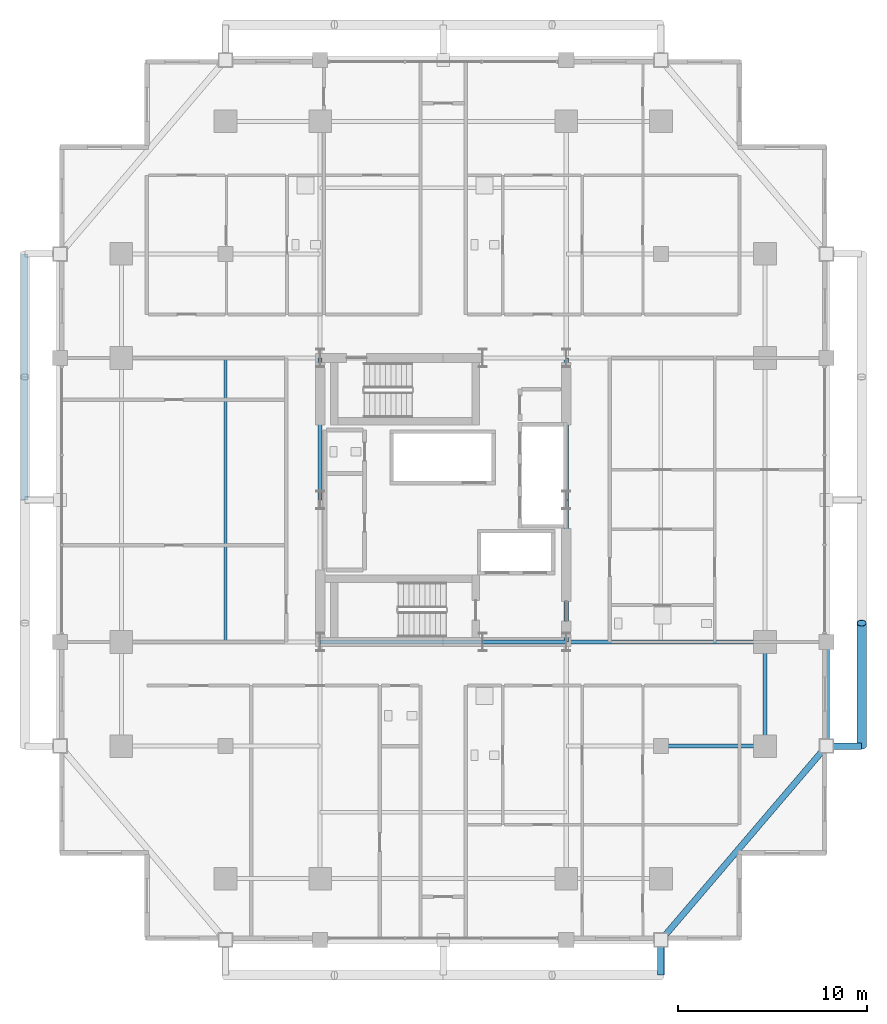
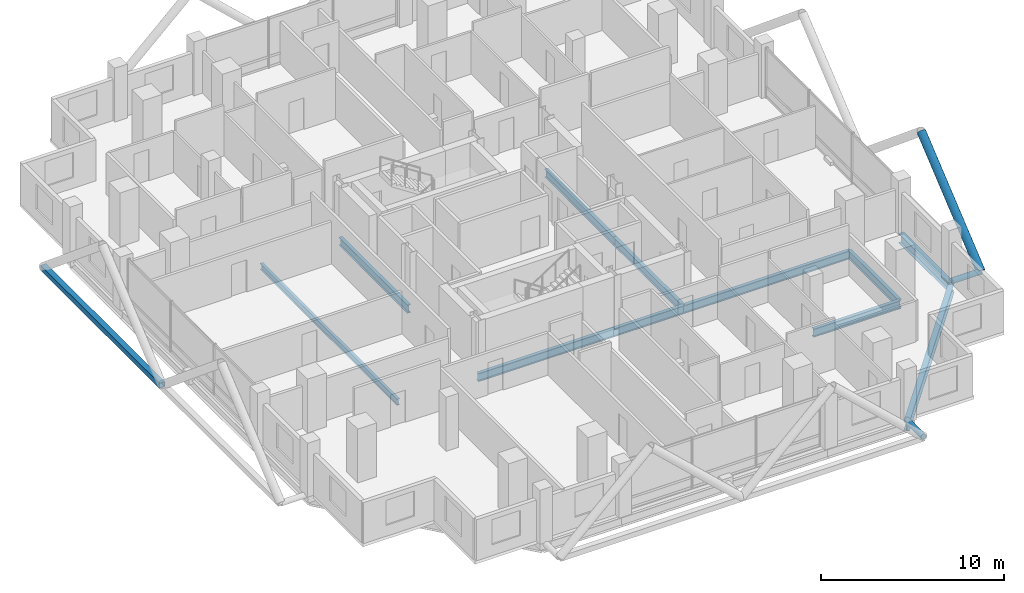
# One storey, part 8 of 25: 11 beams, 4 members.
"""IFC4 building model written with IfcOpenShell, lengths in metres."""

from ifc_helpers import new_model, si_unit, direction, frame, origin, origin_2d, place, context, subcontext, project, spatial, hollow_rectangle, hollow_circle, i_section, extrude, material, material_profile, profile_set, type_object, element, save


model = new_model("IFC4")

# Units and contexts
model_context = context("Model", 3, precision=1e-05, world=origin(), true_north=direction((0.0, 1.0)))
body_context = subcontext(model_context, "Body", "Model", "MODEL_VIEW")
ifc_project = project(units=[si_unit("LENGTHUNIT", "METRE"), si_unit("AREAUNIT", "SQUARE_METRE"), si_unit("VOLUMEUNIT", "CUBIC_METRE"), si_unit("PLANEANGLEUNIT", "RADIAN"), si_unit("MASSUNIT", "GRAM", prefix="KILO")], contexts=[model_context])

# Site, building, storey
site_placement = place(None, origin())
site = spatial("IfcSite", under=ifc_project, at=site_placement, CompositionType="ELEMENT")
building_placement = place(site_placement, origin())
building = spatial("IfcBuilding", under=site, at=building_placement, Name="Barlavira Tower and Art Museum", CompositionType="ELEMENT")
storey_placement = place(building_placement, frame((0.0, 0.0, 144.0)))
storey = spatial("IfcBuildingStorey", under=building, at=storey_placement, Name="L36", CompositionType="ELEMENT", Elevation=144.0)

# Members
ifc_material = material(Name="Steel S355", Category="steel")
ifc_material_profile_1 = material_profile(ifc_material, hollow_circle(Radius=0.25390625, WallThickness=0.022216796875, at=origin_2d()), Name="CHS 508.0x22.2")
ifc_profile_set_1 = profile_set([ifc_material_profile_1], Name="Steel S355")
member_type_1 = type_object("IfcMemberType", Name="Pale-Metal Exoskeleton Diagrid Tube CHS 508x22 Steel S355", PredefinedType="BRACE", material=ifc_profile_set_1)
member_1_placement = place(storey_placement, frame((22.10009765625, -13.0, -0.1201171875), z_axis=(0.0, 0.76918185268, 0.639029950399), x_axis=(-1.0, 0.0, 0.0)))
element("IfcMember", 1, at=member_1_placement, inside=storey, type_object=member_type_1, Name="L36 Exoskeleton Diagrid Tube E", PredefinedType="BRACE", context=body_context, shape_type="SweptSolid", body=[
    extrude(hollow_circle(Radius=0.25390625, WallThickness=0.022216796875, at=origin_2d()), origin(), (0.0, 0.0, 1.0), 8.450439453125),
])
ifc_material_profile_2 = material_profile(ifc_material, hollow_rectangle(XDim=0.35009765625, YDim=0.35009765625, WallThickness=0.02001953125, at=origin_2d()), Name="SHS 350x350x20.0")
ifc_profile_set_2 = profile_set([ifc_material_profile_2], Name="Steel S355")
member_type_2 = type_object("IfcMemberType", Name="Pale-Metal Exoskeleton Ring Strut SHS 350x350x20 Steel S355", PredefinedType="STRUT", material=ifc_profile_set_2)
member_2_placement = place(storey_placement, frame((-22.10009765625, 0.0, -0.1201171875), z_axis=(0.0, 1.0, 0.0), x_axis=(-1.0, 0.0, 0.0)))
element("IfcMember", 2, at=member_2_placement, inside=storey, type_object=member_type_2, Name="L36 Exoskeleton Ring Strut W", PredefinedType="STRUT", context=body_context, shape_type="SweptSolid", body=[
    extrude(hollow_rectangle(XDim=0.35009765625, YDim=0.35009765625, WallThickness=0.02001953125, at=origin_2d()), origin(), (0.0, 0.0, 1.0), 13.0),
])
ifc_material_profile_3 = material_profile(ifc_material, hollow_circle(Radius=0.177734375, WallThickness=0.01611328125, at=origin_2d()), Name="CHS 355.6x16.0")
ifc_profile_set_3 = profile_set([ifc_material_profile_3], Name="Steel S355")
member_type_3 = type_object("IfcMemberType", Name="Pale-Metal Exoskeleton Tie Strut CHS 356x16 Steel S355", PredefinedType="STRUT", material=ifc_profile_set_3)
for number, where, z_axis, x_axis, name in (
    (3, (11.5, -25.10009765625, -0.1201171875), (0.0, 1.0, 0.0), (-1.0, 0.0, 0.0), "L36 Exoskeleton Tie Strut S3"),
    (4, (22.10009765625, -13.0, -0.1201171875), (-1.0, 0.0, 0.0), (0.0, -1.0, 0.0), "L36 Exoskeleton Tie Strut E1"),
):
    element("IfcMember", number, at=place(storey_placement, frame(where, z_axis=z_axis, x_axis=x_axis)), inside=storey, type_object=member_type_3, Name=name, PredefinedType="STRUT", context=body_context, shape_type="SweptSolid", body=[
        extrude(hollow_circle(Radius=0.177734375, WallThickness=0.01611328125, at=origin_2d()), origin(), (0.0, 0.0, 1.0), 1.85009765625),
    ])

# Beams
ifc_material_profile_4 = material_profile(ifc_material, i_section(OverallWidth=0.327880859375, OverallDepth=0.62890625, WebThickness=0.013916015625, FlangeThickness=0.021484375, at=origin_2d()), Name="W610x174.0")
ifc_profile_set_4 = profile_set([ifc_material_profile_4], Name="Steel S355")
beam_type_1 = type_object("IfcBeamType", Name="Perimeter Spandrel Edge Beam W610x174 Steel S355", PredefinedType="SPANDREL", material=ifc_profile_set_4)
beam_1_placement = place(storey_placement, frame((11.5, -23.25, -0.534423828125), z_axis=(0.649262379928, 0.760564502202, 0.0), x_axis=(-0.760564502202, 0.649262379928, 0.0)))
element("IfcBeam", 5, at=beam_1_placement, inside=storey, type_object=beam_type_1, Name="L36 Spandrel 4", PredefinedType="SPANDREL", context=body_context, shape_type="SweptSolid", body=[
    extrude(i_section(OverallWidth=0.327880859375, OverallDepth=0.62890625, WebThickness=0.013916015625, FlangeThickness=0.021484375, at=origin_2d()), origin(), (0.0, 0.0, 1.0), 13.476806640625),
])
beam_2_placement = place(storey_placement, frame((20.25, -13.0, -0.534423828125), z_axis=(0.0, 1.0, 0.0), x_axis=(-1.0, 0.0, 0.0)))
element("IfcBeam", 6, at=beam_2_placement, inside=storey, type_object=beam_type_1, Name="L36 Spandrel 5", PredefinedType="SPANDREL", context=body_context, shape_type="SweptSolid", body=[
    extrude(i_section(OverallWidth=0.327880859375, OverallDepth=0.62890625, WebThickness=0.013916015625, FlangeThickness=0.021484375, at=origin_2d()), origin(), (0.0, 0.0, 1.0), 5.5),
])
ifc_material_profile_5 = material_profile(ifc_material, i_section(OverallWidth=0.214111328125, OverallDepth=0.549072265625, WebThickness=0.0146484375, FlangeThickness=0.023681640625, at=origin_2d()), Name="W530x138.0")
ifc_profile_set_5 = profile_set([ifc_material_profile_5], Name="Steel S355")
beam_type_2 = type_object("IfcBeamType", Name="Zone 1 Primary Floor Girder W530x138 Steel S355", PredefinedType="BEAM", material=ifc_profile_set_5)
beam_3_placement = place(storey_placement, frame((-6.5, -7.5, -0.494384765625), z_axis=(1.0, 0.0, 0.0), x_axis=(0.0, 1.0, 0.0)))
element("IfcBeam", 7, at=beam_3_placement, inside=storey, type_object=beam_type_2, Name="L36 Girder C-S1", PredefinedType="BEAM", context=body_context, shape_type="SweptSolid", body=[
    extrude(i_section(OverallWidth=0.214111328125, OverallDepth=0.549072265625, WebThickness=0.0146484375, FlangeThickness=0.023681640625, at=origin_2d()), origin(), (0.0, 0.0, 1.0), 8.580078125),
])
beam_4_placement = place(storey_placement, frame((2.080078125, -7.5, -0.494384765625), z_axis=(1.0, 0.0, 0.0), x_axis=(0.0, 1.0, 0.0)))
element("IfcBeam", 8, at=beam_4_placement, inside=storey, type_object=beam_type_2, Name="L36 Girder C-S2", PredefinedType="BEAM", context=body_context, shape_type="SweptSolid", body=[
    extrude(i_section(OverallWidth=0.214111328125, OverallDepth=0.549072265625, WebThickness=0.0146484375, FlangeThickness=0.023681640625, at=origin_2d()), origin(), (0.0, 0.0, 1.0), 4.419921875),
])
for number, where, z_axis, x_axis, name in (
    (9, (-6.5, 0.0, -0.494384765625), (0.0, 1.0, 0.0), (-1.0, 0.0, 0.0), "L36 Girder C-W2"),
    (10, (6.5, -7.5, -0.494384765625), (0.0, 1.0, 0.0), (-1.0, 0.0, 0.0), "L36 Girder C-E1"),
    (11, (6.5, 0.0, -0.494384765625), (0.0, 1.0, 0.0), (-1.0, 0.0, 0.0), "L36 Girder C-E2"),
):
    element("IfcBeam", number, at=place(storey_placement, frame(where, z_axis=z_axis, x_axis=x_axis)), inside=storey, type_object=beam_type_2, Name=name, PredefinedType="BEAM", context=body_context, shape_type="SweptSolid", body=[
        extrude(i_section(OverallWidth=0.214111328125, OverallDepth=0.549072265625, WebThickness=0.0146484375, FlangeThickness=0.023681640625, at=origin_2d()), origin(), (0.0, 0.0, 1.0), 7.5),
    ])
beam_5_placement = place(storey_placement, frame((17.0, -13.0, -0.494384765625), z_axis=(0.0, 1.0, 0.0), x_axis=(-1.0, 0.0, 0.0)))
element("IfcBeam", 12, at=beam_5_placement, inside=storey, type_object=beam_type_2, Name="L36 Girder M-E1", PredefinedType="BEAM", context=body_context, shape_type="SweptSolid", body=[
    extrude(i_section(OverallWidth=0.214111328125, OverallDepth=0.549072265625, WebThickness=0.0146484375, FlangeThickness=0.023681640625, at=origin_2d()), origin(), (0.0, 0.0, 1.0), 5.5),
])
beam_6_placement = place(storey_placement, frame((6.5, -7.5, -0.494384765625), z_axis=(1.0, 0.0, 0.0), x_axis=(0.0, 1.0, 0.0)))
element("IfcBeam", 13, at=beam_6_placement, inside=storey, type_object=beam_type_2, Name="L36 Girder R-E1", PredefinedType="BEAM", context=body_context, shape_type="SweptSolid", body=[
    extrude(i_section(OverallWidth=0.214111328125, OverallDepth=0.549072265625, WebThickness=0.0146484375, FlangeThickness=0.023681640625, at=origin_2d()), origin(), (0.0, 0.0, 1.0), 10.5),
])
beam_7_placement = place(storey_placement, frame((11.5, -13.0, -0.494384765625), z_axis=(1.0, 0.0, 0.0), x_axis=(0.0, 1.0, 0.0)))
element("IfcBeam", 14, at=beam_7_placement, inside=storey, type_object=beam_type_2, Name="L36 Girder I-S4", PredefinedType="BEAM", context=body_context, shape_type="SweptSolid", body=[
    extrude(i_section(OverallWidth=0.214111328125, OverallDepth=0.549072265625, WebThickness=0.0146484375, FlangeThickness=0.023681640625, at=origin_2d()), origin(), (0.0, 0.0, 1.0), 5.5),
])
ifc_material_profile_6 = material_profile(ifc_material, i_section(OverallWidth=0.179931640625, OverallDepth=0.4130859375, WebThickness=0.009765625, FlangeThickness=0.01611328125, at=origin_2d()), Name="W410x75.0")
ifc_profile_set_6 = profile_set([ifc_material_profile_6], Name="Steel S355")
beam_type_3 = type_object("IfcBeamType", Name="Zone 2 Composite Floor Joist W410x75 Steel S355", PredefinedType="JOIST", material=ifc_profile_set_6)
beam_8_placement = place(storey_placement, frame((-11.5, -7.5, -0.426513671875), z_axis=(0.0, 1.0, 0.0), x_axis=(-1.0, 0.0, 0.0)))
element("IfcBeam", 15, at=beam_8_placement, inside=storey, type_object=beam_type_3, Name="L36 Joist W1", PredefinedType="JOIST", context=body_context, shape_type="SweptSolid", body=[
    extrude(i_section(OverallWidth=0.179931640625, OverallDepth=0.4130859375, WebThickness=0.009765625, FlangeThickness=0.01611328125, at=origin_2d()), origin(), (0.0, 0.0, 1.0), 15.0),
])

save(model, "model.ifc")
